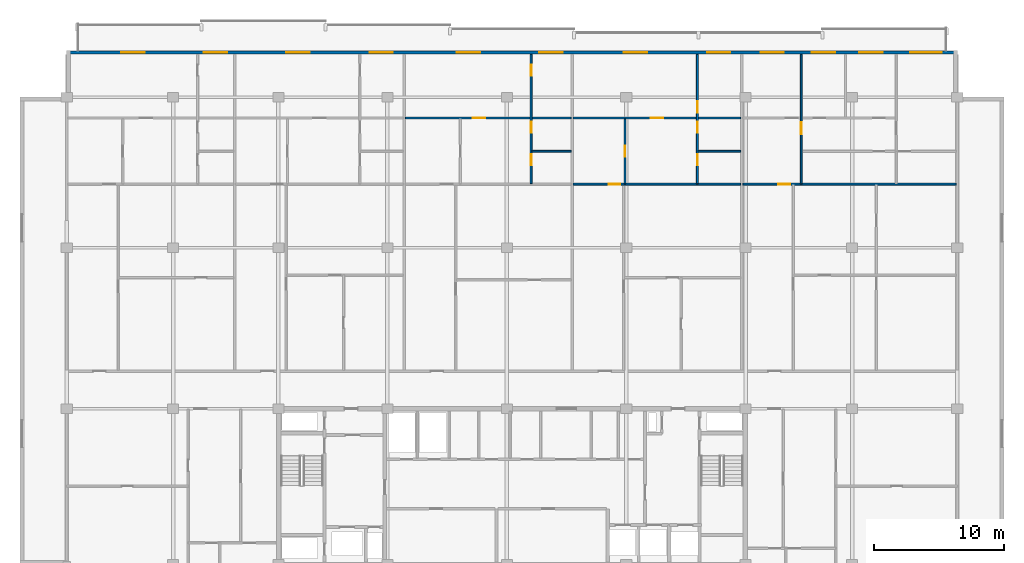
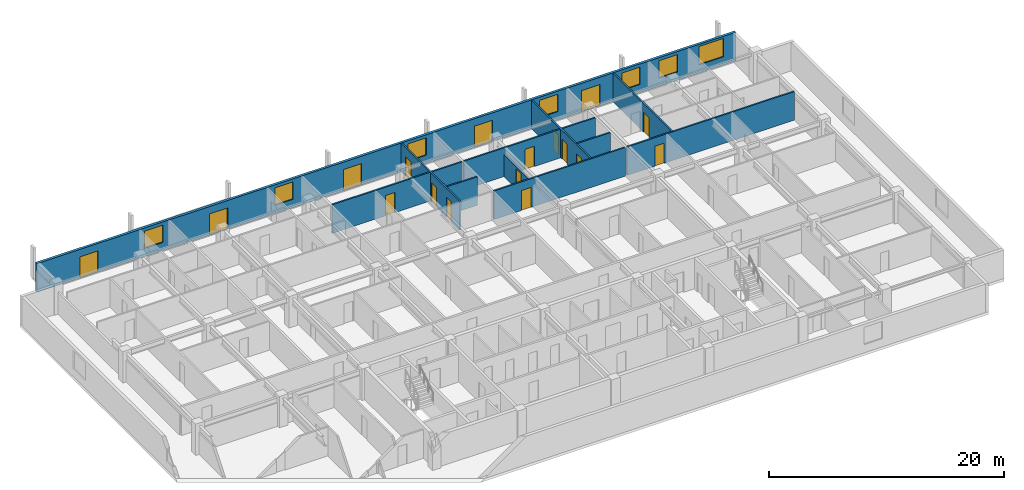
# One storey, part 8 of 11: 17 doors, 11 walls, 7 windows, 24 openings.
"""IFC4 building model written with IfcOpenShell, lengths in metres."""

from ifc_helpers import new_model, si_unit, direction, frame, frame_2d, origin, place, context, subcontext, project, spatial, rectangle, extrude, material, layer, layer_set, type_object, element, fill, save


model = new_model("IFC4")

# Units and contexts
model_context = context("Model", 3, precision=1e-05, world=origin(), true_north=direction((0.0, 1.0)))
body_context = subcontext(model_context, "Body", "Model", "MODEL_VIEW")
ifc_project = project(units=[si_unit("LENGTHUNIT", "METRE"), si_unit("AREAUNIT", "SQUARE_METRE"), si_unit("VOLUMEUNIT", "CUBIC_METRE"), si_unit("PLANEANGLEUNIT", "RADIAN"), si_unit("MASSUNIT", "GRAM", prefix="KILO")], contexts=[model_context])

# Site, building, storey
site_placement = place(None, origin())
site = spatial("IfcSite", under=ifc_project, at=site_placement, CompositionType="ELEMENT")
building_placement = place(site_placement, origin())
building = spatial("IfcBuilding", under=site, at=building_placement, Name="Korimba Cascade Residences", CompositionType="ELEMENT")
storey_placement = place(building_placement, frame((0.0, 0.0, 210.85009765625)))
storey = spatial("IfcBuildingStorey", under=building, at=storey_placement, Name="L61", CompositionType="ELEMENT", Elevation=210.85009765625)

# Wall, openings, doors, windows
ifc_material_1 = material(Name="Precast concrete C40/50", Category="concrete")
ifc_layer_1 = layer(ifc_material_1, 0.25)
ifc_layer_set_1 = layer_set([ifc_layer_1], Name="Precast concrete C40/50")
wall_type_1 = type_object("IfcWallType", Name="EW-LOG-250", PredefinedType="STANDARD", material=ifc_layer_set_1)
wall_1_placement = place(storey_placement, frame((128.39990234375, 94.64990234375, 0.0), z_axis=(0.0, 0.0, 1.0), x_axis=(-1.0, 0.0, 0.0)))
wall_1 = element("IfcWall", 1, at=wall_1_placement, inside=storey, type_object=wall_type_1, Name="L61 T1 Perimeter Stone Wall E06", PredefinedType="STANDARD", context=body_context, shape_type="SweptSolid", body=[
    extrude(rectangle(XDim=68.599853515625, YDim=0.25, at=frame_2d((34.2998046875, 0.0))), origin(), (0.0, 0.0, 1.0), 2.969970703125),
])
opening_1_placement = place(wall_1_placement, frame((62.60009765625, 0.0, 0.0)))
opening_1 = element("IfcOpeningElement", 2, at=opening_1_placement, cuts=wall_1, Name="Opening D-LG1", PredefinedType="OPENING", context=body_context, shape_type="SweptSolid", body=[
    extrude(rectangle(XDim=1.800048828125, YDim=2.199951171875, at=frame_2d((0.89990234375, 1.10009765625))), frame((0.0, 0.135009765625, 0.0), z_axis=(0.0, -1.0, 0.0), x_axis=(1.0, 0.0, 0.0)), (0.0, 0.0, 1.0), 0.27001953125),
])
opening_2_placement = place(wall_1_placement, frame((56.251953125, 0.0, 0.85009765625)))
opening_2 = element("IfcOpeningElement", 3, at=opening_2_placement, cuts=wall_1, Name="Opening W-02", PredefinedType="OPENING", context=body_context, shape_type="SweptSolid", body=[
    extrude(rectangle(XDim=1.800048828125, YDim=1.800048828125, at=frame_2d((0.89990234375, 0.89990234375))), frame((0.0, 0.135009765625, 0.0), z_axis=(0.0, -1.0, 0.0), x_axis=(1.0, 0.0, 0.0)), (0.0, 0.0, 1.0), 0.27001953125),
])
opening_3_placement = place(wall_1_placement, frame((49.882080078125, 0.0, 0.0)))
opening_3 = element("IfcOpeningElement", 4, at=opening_3_placement, cuts=wall_1, Name="Opening D-LG1", PredefinedType="OPENING", context=body_context, shape_type="SweptSolid", body=[
    extrude(rectangle(XDim=1.800048828125, YDim=2.199951171875, at=frame_2d((0.89990234375, 1.10009765625))), frame((0.0, 0.135009765625, 0.0), z_axis=(0.0, -1.0, 0.0), x_axis=(1.0, 0.0, 0.0)), (0.0, 0.0, 1.0), 0.27001953125),
])
opening_4_placement = place(wall_1_placement, frame((43.469970703125, 0.0, 0.85009765625)))
opening_4 = element("IfcOpeningElement", 5, at=opening_4_placement, cuts=wall_1, Name="Opening W-02", PredefinedType="OPENING", context=body_context, shape_type="SweptSolid", body=[
    extrude(rectangle(XDim=1.800048828125, YDim=1.800048828125, at=frame_2d((0.89990234375, 0.89990234375))), frame((0.0, 0.135009765625, 0.0), z_axis=(0.0, -1.0, 0.0), x_axis=(1.0, 0.0, 0.0)), (0.0, 0.0, 1.0), 0.27001953125),
])
opening_5_placement = place(wall_1_placement, frame((36.75, 0.0, 0.0)))
opening_5 = element("IfcOpeningElement", 6, at=opening_5_placement, cuts=wall_1, Name="Opening D-LG1", PredefinedType="OPENING", context=body_context, shape_type="SweptSolid", body=[
    extrude(rectangle(XDim=1.800048828125, YDim=2.199951171875, at=frame_2d((0.89990234375, 1.10009765625))), frame((0.0, 0.135009765625, 0.0), z_axis=(0.0, -1.0, 0.0), x_axis=(1.0, 0.0, 0.0)), (0.0, 0.0, 1.0), 0.27001953125),
])
opening_6_placement = place(wall_1_placement, frame((30.40185546875, 0.0, 0.85009765625)))
opening_6 = element("IfcOpeningElement", 7, at=opening_6_placement, cuts=wall_1, Name="Opening W-02", PredefinedType="OPENING", context=body_context, shape_type="SweptSolid", body=[
    extrude(rectangle(XDim=1.800048828125, YDim=1.800048828125, at=frame_2d((0.89990234375, 0.89990234375))), frame((0.0, 0.135009765625, 0.0), z_axis=(0.0, -1.0, 0.0), x_axis=(1.0, 0.0, 0.0)), (0.0, 0.0, 1.0), 0.27001953125),
])
opening_7_placement = place(wall_1_placement, frame((23.882080078125, 0.0, 0.0)))
opening_7 = element("IfcOpeningElement", 8, at=opening_7_placement, cuts=wall_1, Name="Opening D-LG1", PredefinedType="OPENING", context=body_context, shape_type="SweptSolid", body=[
    extrude(rectangle(XDim=1.800048828125, YDim=2.199951171875, at=frame_2d((0.89990234375, 1.10009765625))), frame((0.0, 0.135009765625, 0.0), z_axis=(0.0, -1.0, 0.0), x_axis=(1.0, 0.0, 0.0)), (0.0, 0.0, 1.0), 0.27001953125),
])
opening_8_placement = place(wall_1_placement, frame((17.469970703125, 0.0, 0.85009765625)))
opening_8 = element("IfcOpeningElement", 9, at=opening_8_placement, cuts=wall_1, Name="Opening W-02", PredefinedType="OPENING", context=body_context, shape_type="SweptSolid", body=[
    extrude(rectangle(XDim=1.800048828125, YDim=1.800048828125, at=frame_2d((0.89990234375, 0.89990234375))), frame((0.0, 0.135009765625, 0.0), z_axis=(0.0, -1.0, 0.0), x_axis=(1.0, 0.0, 0.0)), (0.0, 0.0, 1.0), 0.27001953125),
])
opening_9_placement = place(wall_1_placement, frame((9.415283203125, 0.0, 0.85009765625)))
opening_9 = element("IfcOpeningElement", 10, at=opening_9_placement, cuts=wall_1, Name="Opening W-02", PredefinedType="OPENING", context=body_context, shape_type="SweptSolid", body=[
    extrude(rectangle(XDim=1.800048828125, YDim=1.800048828125, at=frame_2d((0.89990234375, 0.89990234375))), frame((0.0, 0.135009765625, 0.0), z_axis=(0.0, -1.0, 0.0), x_axis=(1.0, 0.0, 0.0)), (0.0, 0.0, 1.0), 0.27001953125),
])
opening_10_placement = place(wall_1_placement, frame((5.755615234375, 0.0, 0.85009765625)))
opening_10 = element("IfcOpeningElement", 11, at=opening_10_placement, cuts=wall_1, Name="Opening W-02", PredefinedType="OPENING", context=body_context, shape_type="SweptSolid", body=[
    extrude(rectangle(XDim=1.800048828125, YDim=1.800048828125, at=frame_2d((0.89990234375, 0.89990234375))), frame((0.0, 0.135009765625, 0.0), z_axis=(0.0, -1.0, 0.0), x_axis=(1.0, 0.0, 0.0)), (0.0, 0.0, 1.0), 0.27001953125),
])
opening_11_placement = place(wall_1_placement, frame((13.35009765625, 0.0, 0.0)))
opening_11 = element("IfcOpeningElement", 12, at=opening_11_placement, cuts=wall_1, Name="Opening D-LG1", PredefinedType="OPENING", context=body_context, shape_type="SweptSolid", body=[
    extrude(rectangle(XDim=1.800048828125, YDim=2.199951171875, at=frame_2d((0.89990234375, 1.10009765625))), frame((0.0, 0.135009765625, 0.0), z_axis=(0.0, -1.0, 0.0), x_axis=(1.0, 0.0, 0.0)), (0.0, 0.0, 1.0), 0.27001953125),
])
opening_12_placement = place(wall_1_placement, frame((1.21044921875, 0.0, 0.85009765625)))
opening_12 = element("IfcOpeningElement", 13, at=opening_12_placement, cuts=wall_1, Name="Opening W-01", PredefinedType="OPENING", context=body_context, shape_type="SweptSolid", body=[
    extrude(rectangle(XDim=2.39990234375, YDim=1.89990234375, at=frame_2d((1.199951171875, 0.949951171875))), frame((0.0, 0.135009765625, 0.0), z_axis=(0.0, -1.0, 0.0), x_axis=(1.0, 0.0, 0.0)), (0.0, 0.0, 1.0), 0.27001953125),
])
ifc_material_2 = material(Name="Glazed Aluminium Loggia Sliding Door", Category="aluminium")
door_type_1 = type_object("IfcDoorType", Name="DR-EXT-LOG", OperationType="NOTDEFINED", PredefinedType="DOOR", material=ifc_material_2)
door_1_placement = place(opening_1_placement, origin())
door_1 = element("IfcDoor", 14, at=door_1_placement, inside=storey, type_object=door_type_1, Name="L61 T1 Loggia Sliding Door 3", OperationType="SLIDING_TO_LEFT", OverallHeight=2.199951171875, OverallWidth=1.800048828125, PredefinedType="DOOR", context=body_context, shape_type="SweptSolid", body=[
    extrude(rectangle(XDim=1.800048828125, YDim=2.199951171875, at=frame_2d((0.89990234375, 1.10009765625))), frame((0.0, 0.02490234375, 0.0), z_axis=(0.0, -1.0, 0.0), x_axis=(1.0, 0.0, 0.0)), (0.0, 0.0, 1.0), 0.050048828125),
])
fill(opening_1, door_1)
door_2_placement = place(opening_3_placement, origin())
door_2 = element("IfcDoor", 15, at=door_2_placement, inside=storey, type_object=door_type_1, Name="L61 T1 Loggia Sliding Door 5", OperationType="SLIDING_TO_LEFT", OverallHeight=2.199951171875, OverallWidth=1.800048828125, PredefinedType="DOOR", context=body_context, shape_type="SweptSolid", body=[
    extrude(rectangle(XDim=1.800048828125, YDim=2.199951171875, at=frame_2d((0.89990234375, 1.10009765625))), frame((0.0, 0.02490234375, 0.0), z_axis=(0.0, -1.0, 0.0), x_axis=(1.0, 0.0, 0.0)), (0.0, 0.0, 1.0), 0.050048828125),
])
fill(opening_3, door_2)
door_3_placement = place(opening_5_placement, origin())
door_3 = element("IfcDoor", 16, at=door_3_placement, inside=storey, type_object=door_type_1, Name="L61 T1 Loggia Sliding Door 7", OperationType="SLIDING_TO_LEFT", OverallHeight=2.199951171875, OverallWidth=1.800048828125, PredefinedType="DOOR", context=body_context, shape_type="SweptSolid", body=[
    extrude(rectangle(XDim=1.800048828125, YDim=2.199951171875, at=frame_2d((0.89990234375, 1.10009765625))), frame((0.0, 0.02490234375, 0.0), z_axis=(0.0, -1.0, 0.0), x_axis=(1.0, 0.0, 0.0)), (0.0, 0.0, 1.0), 0.050048828125),
])
fill(opening_5, door_3)
door_4_placement = place(opening_7_placement, origin())
door_4 = element("IfcDoor", 17, at=door_4_placement, inside=storey, type_object=door_type_1, Name="L61 T1 Loggia Sliding Door 9", OperationType="SLIDING_TO_LEFT", OverallHeight=2.199951171875, OverallWidth=1.800048828125, PredefinedType="DOOR", context=body_context, shape_type="SweptSolid", body=[
    extrude(rectangle(XDim=1.800048828125, YDim=2.199951171875, at=frame_2d((0.89990234375, 1.10009765625))), frame((0.0, 0.02490234375, 0.0), z_axis=(0.0, -1.0, 0.0), x_axis=(1.0, 0.0, 0.0)), (0.0, 0.0, 1.0), 0.050048828125),
])
fill(opening_7, door_4)
door_5_placement = place(opening_11_placement, origin())
door_5 = element("IfcDoor", 18, at=door_5_placement, inside=storey, type_object=door_type_1, Name="L61 T1 Loggia Sliding Door 13", OperationType="SLIDING_TO_LEFT", OverallHeight=2.199951171875, OverallWidth=1.800048828125, PredefinedType="DOOR", context=body_context, shape_type="SweptSolid", body=[
    extrude(rectangle(XDim=1.800048828125, YDim=2.199951171875, at=frame_2d((0.89990234375, 1.10009765625))), frame((0.0, 0.02490234375, 0.0), z_axis=(0.0, -1.0, 0.0), x_axis=(1.0, 0.0, 0.0)), (0.0, 0.0, 1.0), 0.050048828125),
])
fill(opening_11, door_5)
ifc_material_3 = material(Name="Double-Glazed Aluminium Window", Category="aluminium")
window_type_1 = type_object("IfcWindowType", Name="WIN-BED-1800", PartitioningType="SINGLE_PANEL", PredefinedType="WINDOW", material=ifc_material_3)
window_1_placement = place(opening_2_placement, origin())
window_1 = element("IfcWindow", 19, at=window_1_placement, inside=storey, type_object=window_type_1, Name="L61 T1 North Facade Window 4", OverallHeight=1.800048828125, OverallWidth=1.800048828125, PartitioningType="SINGLE_PANEL", PredefinedType="WINDOW", context=body_context, shape_type="SweptSolid", body=[
    extrude(rectangle(XDim=1.800048828125, YDim=1.800048828125, at=frame_2d((0.89990234375, 0.89990234375))), frame((0.0, 0.030029296875, 0.0), z_axis=(0.0, -1.0, 0.0), x_axis=(1.0, 0.0, 0.0)), (0.0, 0.0, 1.0), 0.06005859375),
])
fill(opening_2, window_1)
window_2_placement = place(opening_4_placement, origin())
window_2 = element("IfcWindow", 20, at=window_2_placement, inside=storey, type_object=window_type_1, Name="L61 T1 North Facade Window 6", OverallHeight=1.800048828125, OverallWidth=1.800048828125, PartitioningType="SINGLE_PANEL", PredefinedType="WINDOW", context=body_context, shape_type="SweptSolid", body=[
    extrude(rectangle(XDim=1.800048828125, YDim=1.800048828125, at=frame_2d((0.89990234375, 0.89990234375))), frame((0.0, 0.030029296875, 0.0), z_axis=(0.0, -1.0, 0.0), x_axis=(1.0, 0.0, 0.0)), (0.0, 0.0, 1.0), 0.06005859375),
])
fill(opening_4, window_2)
window_3_placement = place(opening_6_placement, origin())
window_3 = element("IfcWindow", 21, at=window_3_placement, inside=storey, type_object=window_type_1, Name="L61 T1 North Facade Window 8", OverallHeight=1.800048828125, OverallWidth=1.800048828125, PartitioningType="SINGLE_PANEL", PredefinedType="WINDOW", context=body_context, shape_type="SweptSolid", body=[
    extrude(rectangle(XDim=1.800048828125, YDim=1.800048828125, at=frame_2d((0.89990234375, 0.89990234375))), frame((0.0, 0.030029296875, 0.0), z_axis=(0.0, -1.0, 0.0), x_axis=(1.0, 0.0, 0.0)), (0.0, 0.0, 1.0), 0.06005859375),
])
fill(opening_6, window_3)
window_4_placement = place(opening_8_placement, origin())
window_4 = element("IfcWindow", 22, at=window_4_placement, inside=storey, type_object=window_type_1, Name="L61 T1 North Facade Window 10", OverallHeight=1.800048828125, OverallWidth=1.800048828125, PartitioningType="SINGLE_PANEL", PredefinedType="WINDOW", context=body_context, shape_type="SweptSolid", body=[
    extrude(rectangle(XDim=1.800048828125, YDim=1.800048828125, at=frame_2d((0.89990234375, 0.89990234375))), frame((0.0, 0.030029296875, 0.0), z_axis=(0.0, -1.0, 0.0), x_axis=(1.0, 0.0, 0.0)), (0.0, 0.0, 1.0), 0.06005859375),
])
fill(opening_8, window_4)
window_5_placement = place(opening_9_placement, origin())
window_5 = element("IfcWindow", 23, at=window_5_placement, inside=storey, type_object=window_type_1, Name="L61 T1 North Facade Window 11", OverallHeight=1.800048828125, OverallWidth=1.800048828125, PartitioningType="SINGLE_PANEL", PredefinedType="WINDOW", context=body_context, shape_type="SweptSolid", body=[
    extrude(rectangle(XDim=1.800048828125, YDim=1.800048828125, at=frame_2d((0.89990234375, 0.89990234375))), frame((0.0, 0.030029296875, 0.0), z_axis=(0.0, -1.0, 0.0), x_axis=(1.0, 0.0, 0.0)), (0.0, 0.0, 1.0), 0.06005859375),
])
fill(opening_9, window_5)
window_6_placement = place(opening_10_placement, origin())
window_6 = element("IfcWindow", 24, at=window_6_placement, inside=storey, type_object=window_type_1, Name="L61 T1 North Facade Window 12", OverallHeight=1.800048828125, OverallWidth=1.800048828125, PartitioningType="SINGLE_PANEL", PredefinedType="WINDOW", context=body_context, shape_type="SweptSolid", body=[
    extrude(rectangle(XDim=1.800048828125, YDim=1.800048828125, at=frame_2d((0.89990234375, 0.89990234375))), frame((0.0, 0.030029296875, 0.0), z_axis=(0.0, -1.0, 0.0), x_axis=(1.0, 0.0, 0.0)), (0.0, 0.0, 1.0), 0.06005859375),
])
fill(opening_10, window_6)
window_type_2 = type_object("IfcWindowType", Name="WIN-RES-2400", PartitioningType="DOUBLE_PANEL_VERTICAL", PredefinedType="WINDOW", material=ifc_material_3)
window_7_placement = place(opening_12_placement, origin())
window_7 = element("IfcWindow", 25, at=window_7_placement, inside=storey, type_object=window_type_2, Name="L61 T1 North Facade Window 14", OverallHeight=1.89990234375, OverallWidth=2.39990234375, PartitioningType="DOUBLE_PANEL_VERTICAL", PredefinedType="WINDOW", context=body_context, shape_type="SweptSolid", body=[
    extrude(rectangle(XDim=2.39990234375, YDim=1.89990234375, at=frame_2d((1.199951171875, 0.949951171875))), frame((0.0, 0.030029296875, 0.0), z_axis=(0.0, -1.0, 0.0), x_axis=(1.0, 0.0, 0.0)), (0.0, 0.0, 1.0), 0.06005859375),
])
fill(opening_12, window_7)

# Wall
ifc_material_4 = material(Name="Insulated Acoustic Stud Partition", Category="gypsum")
ifc_layer_2 = layer(ifc_material_4, 0.14990234375)
ifc_layer_set_2 = layer_set([ifc_layer_2], Name="Insulated Acoustic Stud Partition")
wall_type_2 = type_object("IfcWallType", Name="WAL-PART-150", PredefinedType="PARTITIONING", material=ifc_layer_set_2)
wall_2_placement = place(storey_placement, frame((95.639892578125, 87.0400390625, 0.0), z_axis=(0.0, 0.0, 1.0), x_axis=(1.0, 0.0, 0.0)))
element("IfcWall", 26, at=wall_2_placement, inside=storey, type_object=wall_type_2, Name="L61 Partition Wall WAL-L61-T1-U03-BLDIV", PredefinedType="PARTITIONING", context=body_context, shape_type="SweptSolid", body=[
    extrude(rectangle(XDim=3.01611328125, YDim=0.14990234375, at=frame_2d((1.508056640625, 0.0))), origin(), (0.0, 0.0, 1.0), 2.969970703125),
])

# Wall, openings, doors
wall_3_placement = place(storey_placement, frame((95.580078125, 84.5400390625, 0.0), z_axis=(0.0, 0.0, 1.0), x_axis=(0.0, 1.0, 0.0)))
wall_3 = element("IfcWall", 27, at=wall_3_placement, inside=storey, type_object=wall_type_2, Name="L61 Partition Wall WAL-L61-T1-U03-V1", PredefinedType="PARTITIONING", context=body_context, shape_type="SweptSolid", body=[
    extrude(rectangle(XDim=9.9599609375, YDim=0.14990234375, at=frame_2d((4.97998046875, 0.0))), origin(), (0.0, 0.0, 1.0), 2.969970703125),
])
opening_13_placement = place(wall_3_placement, frame((1.430419921875, 0.0, 0.0)))
opening_13 = element("IfcOpeningElement", 28, at=opening_13_placement, cuts=wall_3, Name="Opening D-BT1", PredefinedType="OPENING", context=body_context, shape_type="SweptSolid", body=[
    extrude(rectangle(XDim=0.840087890625, YDim=2.0400390625, at=frame_2d((0.419921875, 1.02001953125))), frame((0.0, 0.0849609375, 0.0), z_axis=(0.0, -1.0, 0.0), x_axis=(1.0, 0.0, 0.0)), (0.0, 0.0, 1.0), 0.169921875),
])
opening_14_placement = place(wall_3_placement, frame((3.919921875, 0.0, 0.0)))
opening_14 = element("IfcOpeningElement", 29, at=opening_14_placement, cuts=wall_3, Name="Opening D-BT1", PredefinedType="OPENING", context=body_context, shape_type="SweptSolid", body=[
    extrude(rectangle(XDim=0.840087890625, YDim=2.0400390625, at=frame_2d((0.419921875, 1.02001953125))), frame((0.0, 0.0849609375, 0.0), z_axis=(0.0, -1.0, 0.0), x_axis=(1.0, 0.0, 0.0)), (0.0, 0.0, 1.0), 0.169921875),
])
opening_15_placement = place(wall_3_placement, frame((8.297119140625, 0.0, 0.0)))
opening_15 = element("IfcOpeningElement", 30, at=opening_15_placement, cuts=wall_3, Name="Opening D-IN2", PredefinedType="OPENING", context=body_context, shape_type="SweptSolid", body=[
    extrude(rectangle(XDim=0.8798828125, YDim=2.06005859375, at=frame_2d((0.43994140625, 1.030029296875))), frame((0.0, 0.0849609375, 0.0), z_axis=(0.0, -1.0, 0.0), x_axis=(1.0, 0.0, 0.0)), (0.0, 0.0, 1.0), 0.169921875),
])
ifc_material_5 = material(Name="Moisture-Resistant Bathroom Timber Door", Category="wood")
door_type_2 = type_object("IfcDoorType", Name="DR-INT-850", OperationType="NOTDEFINED", PredefinedType="DOOR", material=ifc_material_5)
door_6_placement = place(opening_13_placement, origin())
door_6 = element("IfcDoor", 31, at=door_6_placement, inside=storey, type_object=door_type_2, Name="L61-T1-U03 Bathroom Door", OperationType="SINGLE_SWING_RIGHT", OverallHeight=2.0400390625, OverallWidth=0.840087890625, PredefinedType="DOOR", context=body_context, shape_type="SweptSolid", body=[
    extrude(rectangle(XDim=0.840087890625, YDim=2.0400390625, at=frame_2d((0.419921875, 1.02001953125))), frame((0.0, 0.02490234375, 0.0), z_axis=(0.0, -1.0, 0.0), x_axis=(1.0, 0.0, 0.0)), (0.0, 0.0, 1.0), 0.050048828125),
])
fill(opening_13, door_6)
door_7_placement = place(opening_14_placement, origin())
door_7 = element("IfcDoor", 32, at=door_7_placement, inside=storey, type_object=door_type_2, Name="L61-T1-U03 Laundry Door", OperationType="SINGLE_SWING_LEFT", OverallHeight=2.0400390625, OverallWidth=0.840087890625, PredefinedType="DOOR", context=body_context, shape_type="SweptSolid", body=[
    extrude(rectangle(XDim=0.840087890625, YDim=2.0400390625, at=frame_2d((0.419921875, 1.02001953125))), frame((0.0, 0.02490234375, 0.0), z_axis=(0.0, -1.0, 0.0), x_axis=(1.0, 0.0, 0.0)), (0.0, 0.0, 1.0), 0.050048828125),
])
fill(opening_14, door_7)
ifc_material_6 = material(Name="Acoustic Timber Bedroom Door", Category="wood")
door_type_3 = type_object("IfcDoorType", Name="DR-INT-880", OperationType="NOTDEFINED", PredefinedType="DOOR", material=ifc_material_6)
door_8_placement = place(opening_15_placement, origin())
door_8 = element("IfcDoor", 33, at=door_8_placement, inside=storey, type_object=door_type_3, Name="L61-T1-U03 Bedroom 1 Door", OperationType="SINGLE_SWING_RIGHT", OverallHeight=2.06005859375, OverallWidth=0.8798828125, PredefinedType="DOOR", context=body_context, shape_type="SweptSolid", body=[
    extrude(rectangle(XDim=0.8798828125, YDim=2.06005859375, at=frame_2d((0.43994140625, 1.030029296875))), frame((0.0, 0.02490234375, 0.0), z_axis=(0.0, -1.0, 0.0), x_axis=(1.0, 0.0, 0.0)), (0.0, 0.0, 1.0), 0.050048828125),
])
fill(opening_15, door_8)

# Wall, opening, door
wall_4_placement = place(storey_placement, frame((85.8798828125, 89.60009765625, 0.0), z_axis=(0.0, 0.0, 1.0), x_axis=(1.0, 0.0, 0.0)))
wall_4 = element("IfcWall", 34, at=wall_4_placement, inside=storey, type_object=wall_type_2, Name="L61 Partition Wall WAL-L61-T1-U03-HZ", PredefinedType="PARTITIONING", context=body_context, shape_type="SweptSolid", body=[
    extrude(rectangle(XDim=12.776123046875, YDim=0.14990234375, at=frame_2d((6.38818359375, 0.0))), origin(), (0.0, 0.0, 1.0), 2.969970703125),
])
opening_16_placement = place(wall_4_placement, frame((5.2060546875, 0.0, 0.0)))
opening_16 = element("IfcOpeningElement", 35, at=opening_16_placement, cuts=wall_4, Name="Opening D-IN0", PredefinedType="OPENING", context=body_context, shape_type="SweptSolid", body=[
    extrude(rectangle(XDim=0.93994140625, YDim=2.10009765625, at=frame_2d((0.469970703125, 1.050048828125))), frame((0.0, 0.0849609375, 0.0), z_axis=(0.0, -1.0, 0.0), x_axis=(1.0, 0.0, 0.0)), (0.0, 0.0, 1.0), 0.169921875),
])
ifc_material_7 = material(Name="Acoustic Timber Living Archway Door", Category="wood")
door_type_4 = type_object("IfcDoorType", Name="DR-INT-950", OperationType="NOTDEFINED", PredefinedType="DOOR", material=ifc_material_7)
door_9_placement = place(opening_16_placement, origin())
door_9 = element("IfcDoor", 36, at=door_9_placement, inside=storey, type_object=door_type_4, Name="L61-T1-U03 Living Archway Door", OperationType="SINGLE_SWING_RIGHT", OverallHeight=2.10009765625, OverallWidth=0.93994140625, PredefinedType="DOOR", context=body_context, shape_type="SweptSolid", body=[
    extrude(rectangle(XDim=0.93994140625, YDim=2.10009765625, at=frame_2d((0.469970703125, 1.050048828125))), frame((0.0, 0.02490234375, 0.0), z_axis=(0.0, -1.0, 0.0), x_axis=(1.0, 0.0, 0.0)), (0.0, 0.0, 1.0), 0.050048828125),
])
fill(opening_16, door_9)

wall_5_placement = place(storey_placement, frame((102.80615234375, 84.5400390625, 0.0), z_axis=(0.0, 0.0, 1.0), x_axis=(0.0, 1.0, 0.0)))
wall_5 = element("IfcWall", 37, at=wall_5_placement, inside=storey, type_object=wall_type_2, Name="L61 Partition Wall WAL-L61-T1-U04-VDIN", PredefinedType="PARTITIONING", context=body_context, shape_type="SweptSolid", body=[
    extrude(rectangle(XDim=5.0, YDim=0.14990234375, at=frame_2d((2.5, 0.0))), origin(), (0.0, 0.0, 1.0), 2.277099609375),
])
opening_17_placement = place(wall_5_placement, frame((2.06005859375, 0.0, 0.0)))
opening_17 = element("IfcOpeningElement", 38, at=opening_17_placement, cuts=wall_5, Name="Opening D-IN2", PredefinedType="OPENING", context=body_context, shape_type="SweptSolid", body=[
    extrude(rectangle(XDim=0.8798828125, YDim=2.06005859375, at=frame_2d((0.43994140625, 1.030029296875))), frame((0.0, 0.0849609375, 0.0), z_axis=(0.0, -1.0, 0.0), x_axis=(1.0, 0.0, 0.0)), (0.0, 0.0, 1.0), 0.169921875),
])
door_10_placement = place(opening_17_placement, origin())
door_10 = element("IfcDoor", 39, at=door_10_placement, inside=storey, type_object=door_type_3, Name="L61-T1-U04 Dining Room Door", OperationType="SINGLE_SWING_RIGHT", OverallHeight=2.06005859375, OverallWidth=0.8798828125, PredefinedType="DOOR", context=body_context, shape_type="SweptSolid", body=[
    extrude(rectangle(XDim=0.8798828125, YDim=2.06005859375, at=frame_2d((0.43994140625, 1.030029296875))), frame((0.0, 0.02490234375, 0.0), z_axis=(0.0, -1.0, 0.0), x_axis=(1.0, 0.0, 0.0)), (0.0, 0.0, 1.0), 0.050048828125),
])
fill(opening_17, door_10)

# Wall
wall_6_placement = place(storey_placement, frame((108.43994140625, 87.0400390625, 0.0), z_axis=(0.0, 0.0, 1.0), x_axis=(1.0, 0.0, 0.0)))
element("IfcWall", 40, at=wall_6_placement, inside=storey, type_object=wall_type_2, Name="L61 Partition Wall WAL-L61-T1-U04-BLDIV", PredefinedType="PARTITIONING", context=body_context, shape_type="SweptSolid", body=[
    extrude(rectangle(XDim=3.280029296875, YDim=0.14990234375, at=frame_2d((1.64013671875, 0.0))), origin(), (0.0, 0.0, 1.0), 2.969970703125),
])

# Wall, openings, doors
wall_7_placement = place(storey_placement, frame((108.3798828125, 84.5400390625, 0.0), z_axis=(0.0, 0.0, 1.0), x_axis=(0.0, 1.0, 0.0)))
wall_7 = element("IfcWall", 41, at=wall_7_placement, inside=storey, type_object=wall_type_2, Name="L61 Partition Wall WAL-L61-T1-U04-V1", PredefinedType="PARTITIONING", context=body_context, shape_type="SweptSolid", body=[
    extrude(rectangle(XDim=9.9599609375, YDim=0.14990234375, at=frame_2d((4.97998046875, 0.0))), origin(), (0.0, 0.0, 1.0), 2.969970703125),
])
opening_18_placement = place(wall_7_placement, frame((1.430419921875, 0.0, 0.0)))
opening_18 = element("IfcOpeningElement", 42, at=opening_18_placement, cuts=wall_7, Name="Opening D-BT1", PredefinedType="OPENING", context=body_context, shape_type="SweptSolid", body=[
    extrude(rectangle(XDim=0.840087890625, YDim=2.0400390625, at=frame_2d((0.419921875, 1.02001953125))), frame((0.0, 0.0849609375, 0.0), z_axis=(0.0, -1.0, 0.0), x_axis=(1.0, 0.0, 0.0)), (0.0, 0.0, 1.0), 0.169921875),
])
opening_19_placement = place(wall_7_placement, frame((3.919921875, 0.0, 0.0)))
opening_19 = element("IfcOpeningElement", 43, at=opening_19_placement, cuts=wall_7, Name="Opening D-BT1", PredefinedType="OPENING", context=body_context, shape_type="SweptSolid", body=[
    extrude(rectangle(XDim=0.840087890625, YDim=2.0400390625, at=frame_2d((0.419921875, 1.02001953125))), frame((0.0, 0.0849609375, 0.0), z_axis=(0.0, -1.0, 0.0), x_axis=(1.0, 0.0, 0.0)), (0.0, 0.0, 1.0), 0.169921875),
])
opening_20_placement = place(wall_7_placement, frame((5.47998046875, 0.0, 0.0)))
opening_20 = element("IfcOpeningElement", 44, at=opening_20_placement, cuts=wall_7, Name="Opening D-IN2", PredefinedType="OPENING", context=body_context, shape_type="SweptSolid", body=[
    extrude(rectangle(XDim=0.8798828125, YDim=2.06005859375, at=frame_2d((0.43994140625, 1.030029296875))), frame((0.0, 0.0849609375, 0.0), z_axis=(0.0, -1.0, 0.0), x_axis=(1.0, 0.0, 0.0)), (0.0, 0.0, 1.0), 0.169921875),
])
door_11_placement = place(opening_18_placement, origin())
door_11 = element("IfcDoor", 45, at=door_11_placement, inside=storey, type_object=door_type_2, Name="L61-T1-U04 Bathroom Door", OperationType="SINGLE_SWING_LEFT", OverallHeight=2.0400390625, OverallWidth=0.840087890625, PredefinedType="DOOR", context=body_context, shape_type="SweptSolid", body=[
    extrude(rectangle(XDim=0.840087890625, YDim=2.0400390625, at=frame_2d((0.419921875, 1.02001953125))), frame((0.0, 0.02490234375, 0.0), z_axis=(0.0, -1.0, 0.0), x_axis=(1.0, 0.0, 0.0)), (0.0, 0.0, 1.0), 0.050048828125),
])
fill(opening_18, door_11)
door_12_placement = place(opening_19_placement, origin())
door_12 = element("IfcDoor", 46, at=door_12_placement, inside=storey, type_object=door_type_2, Name="L61-T1-U04 Laundry Door", OperationType="SINGLE_SWING_RIGHT", OverallHeight=2.0400390625, OverallWidth=0.840087890625, PredefinedType="DOOR", context=body_context, shape_type="SweptSolid", body=[
    extrude(rectangle(XDim=0.840087890625, YDim=2.0400390625, at=frame_2d((0.419921875, 1.02001953125))), frame((0.0, 0.02490234375, 0.0), z_axis=(0.0, -1.0, 0.0), x_axis=(1.0, 0.0, 0.0)), (0.0, 0.0, 1.0), 0.050048828125),
])
fill(opening_19, door_12)
door_13_placement = place(opening_20_placement, origin())
door_13 = element("IfcDoor", 47, at=door_13_placement, inside=storey, type_object=door_type_3, Name="L61-T1-U04 Bedroom 1 Door", OperationType="SINGLE_SWING_LEFT", OverallHeight=2.06005859375, OverallWidth=0.8798828125, PredefinedType="DOOR", context=body_context, shape_type="SweptSolid", body=[
    extrude(rectangle(XDim=0.8798828125, YDim=2.06005859375, at=frame_2d((0.43994140625, 1.030029296875))), frame((0.0, 0.02490234375, 0.0), z_axis=(0.0, -1.0, 0.0), x_axis=(1.0, 0.0, 0.0)), (0.0, 0.0, 1.0), 0.050048828125),
])
fill(opening_20, door_13)

# Wall, opening, door
wall_8_placement = place(storey_placement, frame((98.816162109375, 84.5, 0.0), z_axis=(0.0, 0.0, 1.0), x_axis=(1.0, 0.0, 0.0)))
wall_8 = element("IfcWall", 48, at=wall_8_placement, inside=storey, type_object=wall_type_2, Name="L61 Partition Wall WAL-L61-T1-U04-MW", PredefinedType="PARTITIONING", context=body_context, shape_type="SweptSolid", body=[
    extrude(rectangle(XDim=12.90380859375, YDim=0.14990234375, at=frame_2d((6.451904296875, 0.0))), origin(), (0.0, 0.0, 1.0), 2.969970703125),
])
opening_21_placement = place(wall_8_placement, frame((2.719970703125, 0.0, 0.0)))
opening_21 = element("IfcOpeningElement", 49, at=opening_21_placement, cuts=wall_8, Name="Opening D-IN1", PredefinedType="OPENING", context=body_context, shape_type="SweptSolid", body=[
    extrude(rectangle(XDim=0.919921875, YDim=2.080078125, at=frame_2d((0.4599609375, 1.0400390625))), frame((0.0, 0.0849609375, 0.0), z_axis=(0.0, -1.0, 0.0), x_axis=(1.0, 0.0, 0.0)), (0.0, 0.0, 1.0), 0.169921875),
])
ifc_material_8 = material(Name="Acoustic Timber Living Door", Category="wood")
door_type_5 = type_object("IfcDoorType", Name="DR-INT-920", OperationType="NOTDEFINED", PredefinedType="DOOR", material=ifc_material_8)
door_14_placement = place(opening_21_placement, origin())
door_14 = element("IfcDoor", 50, at=door_14_placement, inside=storey, type_object=door_type_5, Name="L61-T1-U04 Kitchen Archway Door", OperationType="SINGLE_SWING_RIGHT", OverallHeight=2.080078125, OverallWidth=0.919921875, PredefinedType="DOOR", context=body_context, shape_type="SweptSolid", body=[
    extrude(rectangle(XDim=0.919921875, YDim=2.080078125, at=frame_2d((0.4599609375, 1.0400390625))), frame((0.0, 0.02490234375, 0.0), z_axis=(0.0, -1.0, 0.0), x_axis=(1.0, 0.0, 0.0)), (0.0, 0.0, 1.0), 0.050048828125),
])
fill(opening_21, door_14)

wall_9_placement = place(storey_placement, frame((98.816162109375, 89.60009765625, 0.0), z_axis=(0.0, 0.0, 1.0), x_axis=(1.0, 0.0, 0.0)))
wall_9 = element("IfcWall", 51, at=wall_9_placement, inside=storey, type_object=wall_type_2, Name="L61 Partition Wall WAL-L61-T1-U04-HZ", PredefinedType="PARTITIONING", context=body_context, shape_type="SweptSolid", body=[
    extrude(rectangle(XDim=12.90380859375, YDim=0.14990234375, at=frame_2d((6.451904296875, 0.0))), origin(), (0.0, 0.0, 1.0), 2.969970703125),
])
opening_22_placement = place(wall_9_placement, frame((5.98193359375, 0.0, 0.0)))
opening_22 = element("IfcOpeningElement", 52, at=opening_22_placement, cuts=wall_9, Name="Opening D-IN0", PredefinedType="OPENING", context=body_context, shape_type="SweptSolid", body=[
    extrude(rectangle(XDim=0.93994140625, YDim=2.10009765625, at=frame_2d((0.469970703125, 1.050048828125))), frame((0.0, 0.0849609375, 0.0), z_axis=(0.0, -1.0, 0.0), x_axis=(1.0, 0.0, 0.0)), (0.0, 0.0, 1.0), 0.169921875),
])
door_15_placement = place(opening_22_placement, origin())
door_15 = element("IfcDoor", 53, at=door_15_placement, inside=storey, type_object=door_type_4, Name="L61-T1-U04 Living Archway Door", OperationType="SINGLE_SWING_LEFT", OverallHeight=2.10009765625, OverallWidth=0.93994140625, PredefinedType="DOOR", context=body_context, shape_type="SweptSolid", body=[
    extrude(rectangle(XDim=0.93994140625, YDim=2.10009765625, at=frame_2d((0.469970703125, 1.050048828125))), frame((0.0, 0.02490234375, 0.0), z_axis=(0.0, -1.0, 0.0), x_axis=(1.0, 0.0, 0.0)), (0.0, 0.0, 1.0), 0.050048828125),
])
fill(opening_22, door_15)

wall_10_placement = place(storey_placement, frame((116.3798828125, 84.5400390625, 0.0), z_axis=(0.0, 0.0, 1.0), x_axis=(0.0, 1.0, 0.0)))
wall_10 = element("IfcWall", 54, at=wall_10_placement, inside=storey, type_object=wall_type_2, Name="L61 Partition Wall WAL-L61-T1-U05-V1", PredefinedType="PARTITIONING", context=body_context, shape_type="SweptSolid", body=[
    extrude(rectangle(XDim=9.9599609375, YDim=0.14990234375, at=frame_2d((4.97998046875, 0.0))), origin(), (0.0, 0.0, 1.0), 2.969970703125),
])
opening_23_placement = place(wall_10_placement, frame((3.820068359375, 0.0, 0.0)))
opening_23 = element("IfcOpeningElement", 55, at=opening_23_placement, cuts=wall_10, Name="Opening D-IN1", PredefinedType="OPENING", context=body_context, shape_type="SweptSolid", body=[
    extrude(rectangle(XDim=0.919921875, YDim=2.080078125, at=frame_2d((0.4599609375, 1.0400390625))), frame((0.0, 0.0849609375, 0.0), z_axis=(0.0, -1.0, 0.0), x_axis=(1.0, 0.0, 0.0)), (0.0, 0.0, 1.0), 0.169921875),
])
door_16_placement = place(opening_23_placement, origin())
door_16 = element("IfcDoor", 56, at=door_16_placement, inside=storey, type_object=door_type_5, Name="L61-T1-U05 Hallway Door", OperationType="SINGLE_SWING_RIGHT", OverallHeight=2.080078125, OverallWidth=0.919921875, PredefinedType="DOOR", context=body_context, shape_type="SweptSolid", body=[
    extrude(rectangle(XDim=0.919921875, YDim=2.080078125, at=frame_2d((0.4599609375, 1.0400390625))), frame((0.0, 0.02490234375, 0.0), z_axis=(0.0, -1.0, 0.0), x_axis=(1.0, 0.0, 0.0)), (0.0, 0.0, 1.0), 0.050048828125),
])
fill(opening_23, door_16)

wall_11_placement = place(storey_placement, frame((111.8798828125, 84.5, 0.0), z_axis=(0.0, 0.0, 1.0), x_axis=(1.0, 0.0, 0.0)))
wall_11 = element("IfcWall", 57, at=wall_11_placement, inside=storey, type_object=wall_type_2, Name="L61 Partition Wall WAL-L61-T1-U05-MW", PredefinedType="PARTITIONING", context=body_context, shape_type="SweptSolid", body=[
    extrude(rectangle(XDim=16.440185546875, YDim=0.14990234375, at=frame_2d((8.22021484375, 0.0))), origin(), (0.0, 0.0, 1.0), 2.969970703125),
])
opening_24_placement = place(wall_11_placement, frame((2.719970703125, 0.0, 0.0)))
opening_24 = element("IfcOpeningElement", 58, at=opening_24_placement, cuts=wall_11, Name="Opening D-IN1", PredefinedType="OPENING", context=body_context, shape_type="SweptSolid", body=[
    extrude(rectangle(XDim=0.919921875, YDim=2.080078125, at=frame_2d((0.4599609375, 1.0400390625))), frame((0.0, 0.0849609375, 0.0), z_axis=(0.0, -1.0, 0.0), x_axis=(1.0, 0.0, 0.0)), (0.0, 0.0, 1.0), 0.169921875),
])
door_17_placement = place(opening_24_placement, origin())
door_17 = element("IfcDoor", 59, at=door_17_placement, inside=storey, type_object=door_type_5, Name="L61-T1-U05 Kitchen Door", OperationType="SINGLE_SWING_RIGHT", OverallHeight=2.080078125, OverallWidth=0.919921875, PredefinedType="DOOR", context=body_context, shape_type="SweptSolid", body=[
    extrude(rectangle(XDim=0.919921875, YDim=2.080078125, at=frame_2d((0.4599609375, 1.0400390625))), frame((0.0, 0.02490234375, 0.0), z_axis=(0.0, -1.0, 0.0), x_axis=(1.0, 0.0, 0.0)), (0.0, 0.0, 1.0), 0.050048828125),
])
fill(opening_24, door_17)

save(model, "model.ifc")
